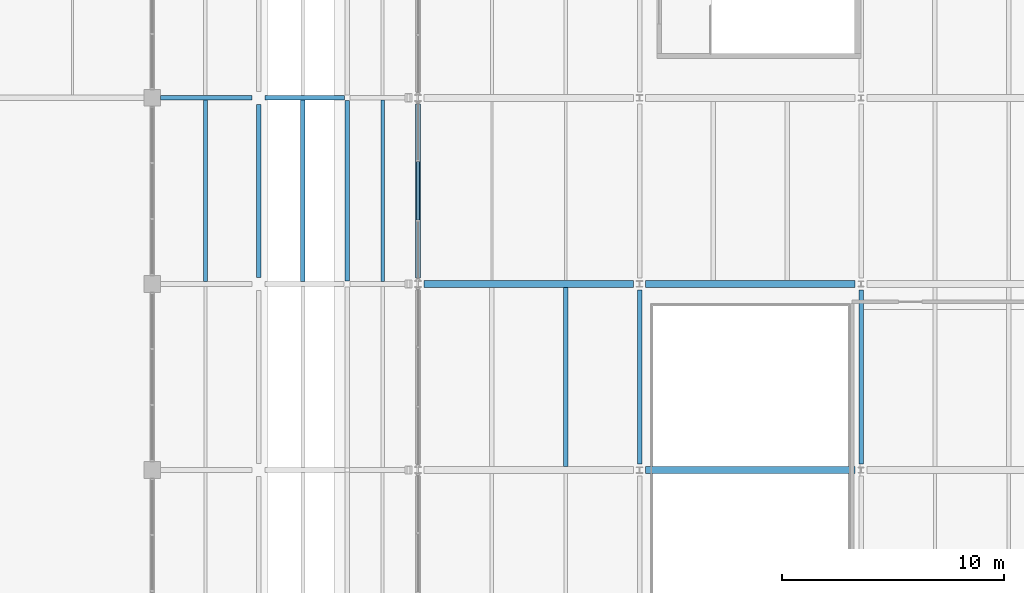
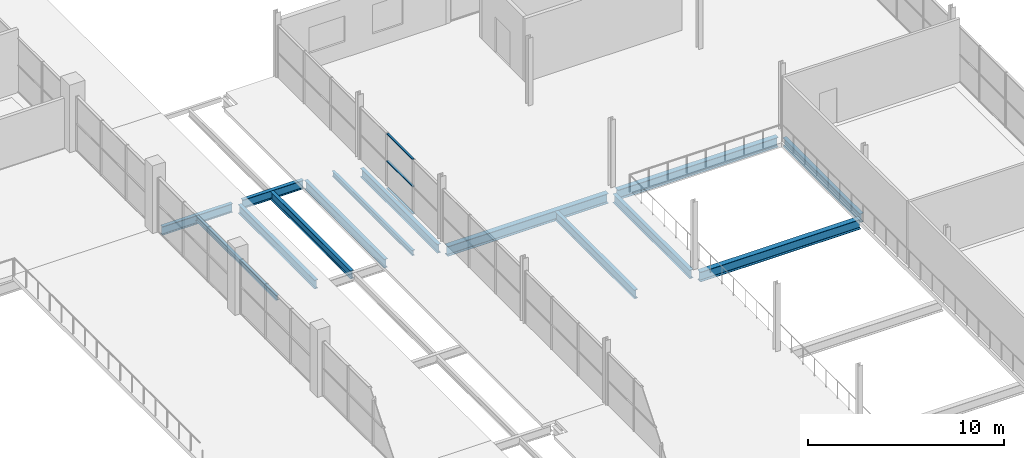
# One storey, part 112 of 161: 14 beams, 3 members, 1 element without a shape of its own.
"""IFC4 building model written with IfcOpenShell, lengths in metres."""

from ifc_helpers import new_model, si_unit, direction, frame, origin, origin_2d, place, context, subcontext, project, spatial, hollow_rectangle, i_section, extrude, material, material_profile, profile_set, type_object, element, aggregate, save


model = new_model("IFC4")

# Units and contexts
model_context = context("Model", 3, precision=1e-05, world=origin(), true_north=direction((0.0, 1.0)))
body_context = subcontext(model_context, "Body", "Model", "MODEL_VIEW")
ifc_project = project(units=[si_unit("LENGTHUNIT", "METRE"), si_unit("AREAUNIT", "SQUARE_METRE"), si_unit("VOLUMEUNIT", "CUBIC_METRE"), si_unit("PLANEANGLEUNIT", "RADIAN"), si_unit("MASSUNIT", "GRAM", prefix="KILO"), si_unit("THERMODYNAMICTEMPERATUREUNIT", "KELVIN")], contexts=[model_context])

# Site, building, storey
site_placement = place(None, origin())
site = spatial("IfcSite", under=ifc_project, at=site_placement, CompositionType="ELEMENT")
building_placement = place(site_placement, origin())
building = spatial("IfcBuilding", under=site, at=building_placement, Name="Nduvali Passage Aquatics Centre", CompositionType="ELEMENT")
storey_placement = place(building_placement, frame((0.0, 0.0, 4.800048828125)))
storey = spatial("IfcBuildingStorey", under=building, at=storey_placement, Name="L01", CompositionType="ELEMENT", Elevation=4.800048828125)

# Curtain wall, members
ifc_material_1 = material(Name="Aluminium EN AW-6063 T6", Category="aluminium")
curtain_wall_type = type_object("IfcCurtainWallType", Name="ENV-CW-FOYR", PredefinedType="NOTDEFINED", material=ifc_material_1)
curtain_wall_placement = place(storey_placement, origin())
curtain_wall = element("IfcCurtainWall", 1, at=curtain_wall_placement, inside=storey, type_object=curtain_wall_type, Name="L01 Passage Foyer Upper CW 078", PredefinedType="NOTDEFINED")
ifc_material_profile_1 = material_profile(ifc_material_1, hollow_rectangle(XDim=0.1201171875, YDim=0.06005859375, WallThickness=0.00390625, at=origin_2d()), Name="ALU TRANSOM 120x60x4")
ifc_profile_set_1 = profile_set([ifc_material_profile_1], Name="Aluminium EN AW-6063 T6")
member_type = type_object("IfcMemberType", Name="ENV-MEM-TRN60", PredefinedType="USERDEFINED", material=ifc_profile_set_1)
member_1_placement = place(storey_placement, frame((138.0, 78.47998046875, 0.030029296875), z_axis=(0.0, 1.0, 0.0), x_axis=(-1.0, 0.0, 0.0)))
member_1 = element("IfcMember", 2, at=member_1_placement, type_object=member_type, Name="Passage Foyer Upper CW Transom B2-R0", ObjectType="TRANSOM", PredefinedType="USERDEFINED", context=body_context, shape_type="SweptSolid", body=[
    extrude(hollow_rectangle(XDim=0.1201171875, YDim=0.06005859375, WallThickness=0.00390625, at=origin_2d()), origin(), (0.0, 0.0, 1.0), 2.64013671875),
])
member_2_placement = place(storey_placement, frame((138.0, 78.47998046875, 1.71826171875), z_axis=(0.0, 1.0, 0.0), x_axis=(-1.0, 0.0, 0.0)))
member_2 = element("IfcMember", 3, at=member_2_placement, type_object=member_type, Name="Passage Foyer Upper CW Transom B2-R1", ObjectType="TRANSOM", PredefinedType="USERDEFINED", context=body_context, shape_type="SweptSolid", body=[
    extrude(hollow_rectangle(XDim=0.1201171875, YDim=0.06005859375, WallThickness=0.00390625, at=origin_2d()), origin(), (0.0, 0.0, 1.0), 2.64013671875),
])
member_3_placement = place(storey_placement, frame((138.0, 78.47998046875, 3.40625), z_axis=(0.0, 1.0, 0.0), x_axis=(-1.0, 0.0, 0.0)))
member_3 = element("IfcMember", 4, at=member_3_placement, type_object=member_type, Name="Passage Foyer Upper CW Transom B2-R2", ObjectType="TRANSOM", PredefinedType="USERDEFINED", context=body_context, shape_type="SweptSolid", body=[
    extrude(hollow_rectangle(XDim=0.1201171875, YDim=0.06005859375, WallThickness=0.00390625, at=origin_2d()), origin(), (0.0, 0.0, 1.0), 2.64013671875),
])
aggregate(curtain_wall, [member_1, member_2, member_3])

# Beams
ifc_material_2 = material(Name="Steel S355", Category="steel")
ifc_material_profile_2 = material_profile(ifc_material_2, i_section(OverallWidth=0.210693359375, OverallDepth=0.53955078125, WebThickness=0.01171875, FlangeThickness=0.018798828125, FilletRadius=0.0126953125, at=origin_2d()), Name="UKB 533x210x109")
ifc_profile_set_2 = profile_set([ifc_material_profile_2], Name="Steel S355")
beam_type_1 = type_object("IfcBeamType", Name="STR-BM-UKB533", PredefinedType="BEAM", material=ifc_profile_set_2)
beam_1_placement = place(storey_placement, frame((126.375, 84.0, -0.273681640625), z_axis=(1.0, 0.0, 0.0), x_axis=(0.0, 1.0, 0.0)))
element("IfcBeam", 5, at=beam_1_placement, inside=storey, type_object=beam_type_1, Name="L01 Primary X-Girder B6-0518", PredefinedType="BEAM", context=body_context, shape_type="SweptSolid", body=[
    extrude(i_section(OverallWidth=0.210693359375, OverallDepth=0.53955078125, WebThickness=0.01171875, FlangeThickness=0.018798828125, FilletRadius=0.0126953125, at=origin_2d()), origin(), (0.0, 0.0, 1.0), 4.125),
])
beam_2_placement = place(storey_placement, frame((131.10009765625, 84.0, -0.273681640625), z_axis=(1.0, 0.0, 0.0), x_axis=(0.0, 1.0, 0.0)))
element("IfcBeam", 6, at=beam_2_placement, inside=storey, type_object=beam_type_1, Name="L01 Primary X-Girder B6-0519", PredefinedType="BEAM", context=body_context, shape_type="SweptSolid", body=[
    extrude(i_section(OverallWidth=0.210693359375, OverallDepth=0.53955078125, WebThickness=0.01171875, FlangeThickness=0.018798828125, FilletRadius=0.0126953125, at=origin_2d()), origin(), (0.0, 0.0, 1.0), 3.57763671875),
])
beam_3_placement = place(storey_placement, frame((130.800048828125, 75.89990234375, -0.273681640625), z_axis=(0.0, 1.0, 0.0), x_axis=(-1.0, 0.0, 0.0)))
element("IfcBeam", 7, at=beam_3_placement, inside=storey, type_object=beam_type_1, Name="L01 Primary Y-Girder B6-0645", PredefinedType="BEAM", context=body_context, shape_type="SweptSolid", body=[
    extrude(i_section(OverallWidth=0.210693359375, OverallDepth=0.53955078125, WebThickness=0.01171875, FlangeThickness=0.018798828125, FilletRadius=0.0126953125, at=origin_2d()), origin(), (0.0, 0.0, 1.0), 7.800048828125),
])
beam_4_placement = place(storey_placement, frame((134.800048828125, 75.736572265625, -0.273681640625), z_axis=(0.0, 1.0, 0.0), x_axis=(-1.0, 0.0, 0.0)))
element("IfcBeam", 8, at=beam_4_placement, inside=storey, type_object=beam_type_1, Name="L01 Primary Y-Girder B6-0656", PredefinedType="BEAM", context=body_context, shape_type="SweptSolid", body=[
    extrude(i_section(OverallWidth=0.210693359375, OverallDepth=0.53955078125, WebThickness=0.01171875, FlangeThickness=0.018798828125, FilletRadius=0.0126953125, at=origin_2d()), origin(), (0.0, 0.0, 1.0), 8.14111328125),
])
for number, where, z_axis, x_axis, name in (
    (9, (148.0, 67.47509765625, -0.553955078125), (0.0, 1.0, 0.0), (-1.0, 0.0, 0.0), "L01 Primary Y-Girder B6-0671"),
    (10, (158.0, 67.47509765625, -0.553955078125), (0.0, 1.0, 0.0), (-1.0, 0.0, 0.0), "L01 Primary Y-Girder B6-0679"),
):
    element("IfcBeam", number, at=place(storey_placement, frame(where, z_axis=z_axis, x_axis=x_axis)), inside=storey, type_object=beam_type_1, Name=name, PredefinedType="BEAM", context=body_context, shape_type="SweptSolid", body=[
        extrude(i_section(OverallWidth=0.210693359375, OverallDepth=0.53955078125, WebThickness=0.01171875, FlangeThickness=0.018798828125, FilletRadius=0.0126953125, at=origin_2d()), origin(), (0.0, 0.0, 1.0), 7.849853515625),
    ])
ifc_material_profile_3 = material_profile(ifc_material_2, i_section(OverallWidth=0.210693359375, OverallDepth=0.53955078125, WebThickness=0.01171875, FlangeThickness=0.018798828125, FilletRadius=0.0126953125, at=origin_2d()), Name="UKB 533x210x109")
ifc_profile_set_3 = profile_set([ifc_material_profile_3], Name="Steel S355")
beam_type_2 = type_object("IfcBeamType", Name="STR-BM-UKB533-EXT", PredefinedType="BEAM", material=ifc_profile_set_3)
beam_5_placement = place(storey_placement, frame((138.0, 75.875, -0.553955078125), z_axis=(0.0, 1.0, 0.0), x_axis=(-1.0, 0.0, 0.0)))
element("IfcBeam", 11, at=beam_5_placement, inside=storey, type_object=beam_type_2, Name="L01 Primary Y-Girder B6E-0664", PredefinedType="BEAM", context=body_context, shape_type="SweptSolid", body=[
    extrude(i_section(OverallWidth=0.210693359375, OverallDepth=0.53955078125, WebThickness=0.01171875, FlangeThickness=0.018798828125, FilletRadius=0.0126953125, at=origin_2d()), origin(), (0.0, 0.0, 1.0), 7.85009765625),
])
ifc_material_profile_4 = material_profile(ifc_material_2, i_section(OverallWidth=0.3046875, OverallDepth=0.6123046875, WebThickness=0.01171875, FlangeThickness=0.019775390625, FilletRadius=0.0166015625, at=origin_2d()), Name="UKB 610x305x149")
ifc_profile_set_4 = profile_set([ifc_material_profile_4], Name="Steel S355")
beam_type_3 = type_object("IfcBeamType", Name="STR-BM-UKB610W", PredefinedType="BEAM", material=ifc_profile_set_4)
for number, where, z_axis, x_axis, name in (
    (12, (148.27490234375, 67.199951171875, -0.59033203125), (1.0, 0.0, 0.0), (0.0, 1.0, 0.0), "L01 Primary X-Girder B5A-0497"),
    (13, (138.27490234375, 75.60009765625, -0.59033203125), (1.0, 0.0, 0.0), (0.0, 1.0, 0.0), "L01 Primary X-Girder B5A-0505"),
    (14, (148.27490234375, 75.60009765625, -0.59033203125), (1.0, 0.0, 0.0), (0.0, 1.0, 0.0), "L01 Primary X-Girder B5A-0506"),
):
    element("IfcBeam", number, at=place(storey_placement, frame(where, z_axis=z_axis, x_axis=x_axis)), inside=storey, type_object=beam_type_3, Name=name, PredefinedType="BEAM", context=body_context, shape_type="SweptSolid", body=[
        extrude(i_section(OverallWidth=0.3046875, OverallDepth=0.6123046875, WebThickness=0.01171875, FlangeThickness=0.019775390625, FilletRadius=0.0166015625, at=origin_2d()), origin(), (0.0, 0.0, 1.0), 9.4501953125),
    ])
ifc_material_profile_5 = material_profile(ifc_material_2, i_section(OverallWidth=0.159912109375, OverallDepth=0.330078125, WebThickness=0.007568359375, FlangeThickness=0.011474609375, FilletRadius=0.01806640625, at=origin_2d()), Name="IPE 330")
ifc_profile_set_5 = profile_set([ifc_material_profile_5], Name="Steel S355")
beam_type_4 = type_object("IfcBeamType", Name="STR-JST-IPE330", PredefinedType="JOIST", material=ifc_profile_set_5)
beam_6_placement = place(storey_placement, frame((136.39990234375, 75.705322265625, -0.1689453125), z_axis=(0.0, 1.0, 0.0), x_axis=(-1.0, 0.0, 0.0)))
element("IfcBeam", 15, at=beam_6_placement, inside=storey, type_object=beam_type_4, Name="L01 Secondary Joist J6A-0790", PredefinedType="JOIST", context=body_context, shape_type="SweptSolid", body=[
    extrude(i_section(OverallWidth=0.159912109375, OverallDepth=0.330078125, WebThickness=0.007568359375, FlangeThickness=0.011474609375, FilletRadius=0.01806640625, at=origin_2d()), origin(), (0.0, 0.0, 1.0), 8.189208984375),
])
ifc_material_profile_6 = material_profile(ifc_material_2, i_section(OverallWidth=0.199951171875, OverallDepth=0.5, WebThickness=0.01025390625, FlangeThickness=0.01611328125, FilletRadius=0.02099609375, at=origin_2d()), Name="IPE 500")
ifc_profile_set_6 = profile_set([ifc_material_profile_6], Name="Steel S355")
beam_type_5 = type_object("IfcBeamType", Name="STR-JST-IPE500", PredefinedType="JOIST", material=ifc_profile_set_6)
beam_7_placement = place(storey_placement, frame((132.800048828125, 75.705322265625, -0.254150390625), z_axis=(0.0, 1.0, 0.0), x_axis=(-1.0, 0.0, 0.0)))
element("IfcBeam", 16, at=beam_7_placement, inside=storey, type_object=beam_type_5, Name="L01 Secondary Joist J5A-0789", PredefinedType="JOIST", context=body_context, shape_type="SweptSolid", body=[
    extrude(i_section(OverallWidth=0.199951171875, OverallDepth=0.5, WebThickness=0.01025390625, FlangeThickness=0.01611328125, FilletRadius=0.02099609375, at=origin_2d()), origin(), (0.0, 0.0, 1.0), 8.189208984375),
])
ifc_material_profile_7 = material_profile(ifc_material_2, i_section(OverallWidth=0.2099609375, OverallDepth=0.550048828125, WebThickness=0.010986328125, FlangeThickness=0.01708984375, FilletRadius=0.02392578125, at=origin_2d()), Name="IPE 550")
ifc_profile_set_7 = profile_set([ifc_material_profile_7], Name="Steel S355")
beam_type_6 = type_object("IfcBeamType", Name="STR-JST-IPE550", PredefinedType="JOIST", material=ifc_profile_set_7)
beam_8_placement = place(storey_placement, frame((144.666748046875, 67.352294921875, -0.55908203125), z_axis=(0.0, 1.0, 0.0), x_axis=(-1.0, 0.0, 0.0)))
element("IfcBeam", 17, at=beam_8_placement, inside=storey, type_object=beam_type_6, Name="L01 Secondary Joist J5C-0783", PredefinedType="JOIST", context=body_context, shape_type="SweptSolid", body=[
    extrude(i_section(OverallWidth=0.2099609375, OverallDepth=0.550048828125, WebThickness=0.010986328125, FlangeThickness=0.01708984375, FilletRadius=0.02392578125, at=origin_2d()), origin(), (0.0, 0.0, 1.0), 8.09521484375),
])
ifc_material_profile_8 = material_profile(ifc_material_2, i_section(OverallWidth=0.165771484375, OverallDepth=0.306640625, WebThickness=0.006591796875, FlangeThickness=0.01171875, FilletRadius=0.0087890625, at=origin_2d()), Name="UKB 305x165x46")
ifc_profile_set_8 = profile_set([ifc_material_profile_8], Name="Steel S355")
beam_type_7 = type_object("IfcBeamType", Name="STR-JST-UKB305", PredefinedType="JOIST", material=ifc_profile_set_8)
beam_9_placement = place(storey_placement, frame((128.39990234375, 75.705322265625, -0.157470703125), z_axis=(0.0, 1.0, 0.0), x_axis=(-1.0, 0.0, 0.0)))
element("IfcBeam", 18, at=beam_9_placement, inside=storey, type_object=beam_type_7, Name="L01 Secondary Joist J3-0788", PredefinedType="JOIST", context=body_context, shape_type="SweptSolid", body=[
    extrude(i_section(OverallWidth=0.165771484375, OverallDepth=0.306640625, WebThickness=0.006591796875, FlangeThickness=0.01171875, FilletRadius=0.0087890625, at=origin_2d()), origin(), (0.0, 0.0, 1.0), 8.189208984375),
])

save(model, "model.ifc")
